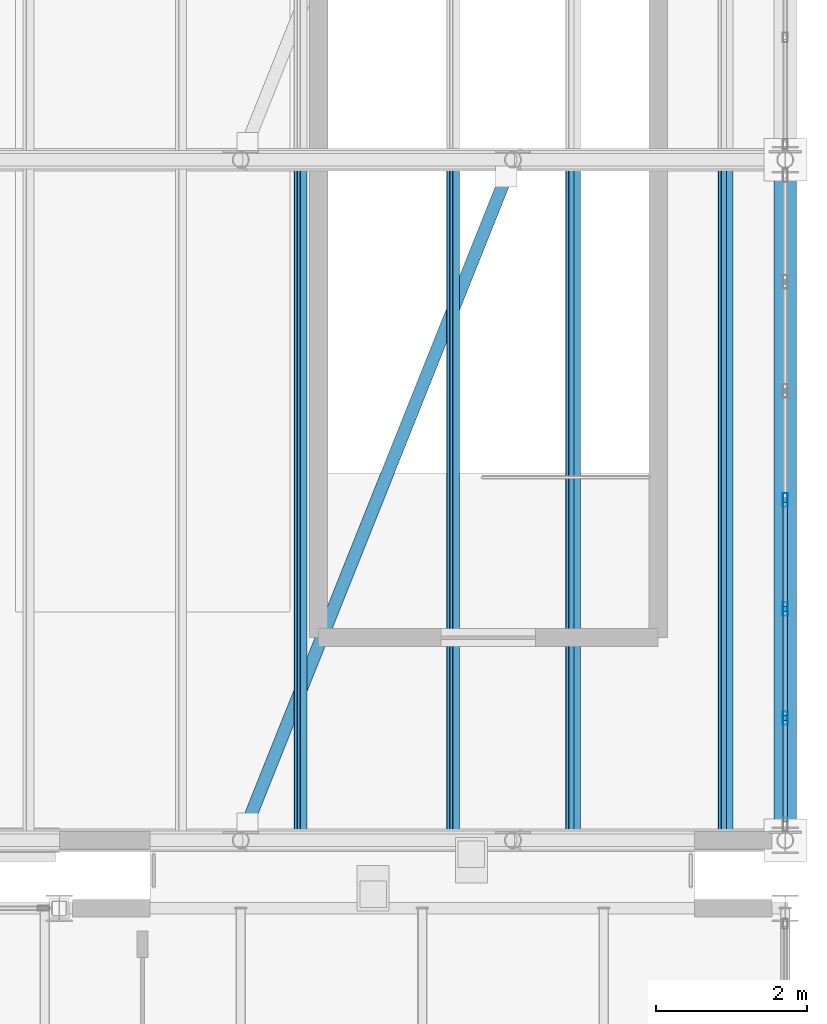
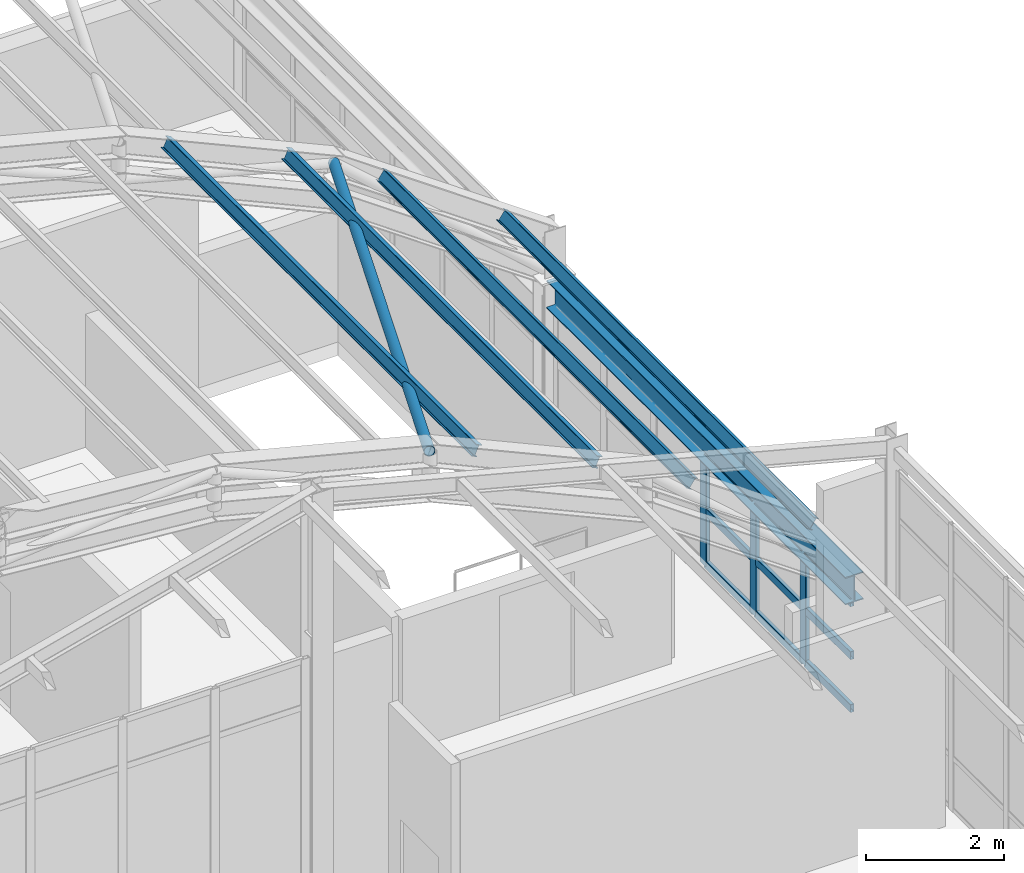
# One storey, part 25 of 121: 17 members, 1 beam, 1 element without a shape of its own.
"""IFC4 building model written with IfcOpenShell, lengths in metres."""

from ifc_helpers import new_model, si_unit, direction, frame, origin, origin_2d, place, context, subcontext, project, spatial, hollow_rectangle, hollow_circle, i_section, extrude, material, material_profile, profile_set, type_object, element, aggregate, save


model = new_model("IFC4")

# Units and contexts
model_context = context("Model", 3, precision=1e-05, world=origin(), true_north=direction((0.0, 1.0)))
body_context = subcontext(model_context, "Body", "Model", "MODEL_VIEW")
ifc_project = project(units=[si_unit("LENGTHUNIT", "METRE"), si_unit("AREAUNIT", "SQUARE_METRE"), si_unit("VOLUMEUNIT", "CUBIC_METRE"), si_unit("PLANEANGLEUNIT", "RADIAN"), si_unit("MASSUNIT", "GRAM", prefix="KILO")], contexts=[model_context])

# Site, building, storey
site_placement = place(None, origin())
site = spatial("IfcSite", under=ifc_project, at=site_placement, CompositionType="ELEMENT")
building_placement = place(site_placement, origin())
building = spatial("IfcBuilding", under=site, at=building_placement, Name="Canglan Escarpment Cableway Terminal", CompositionType="ELEMENT")
storey_placement = place(building_placement, frame((0.0, 0.0, 24.60009765625)))
storey = spatial("IfcBuildingStorey", under=building, at=storey_placement, Name="L05", CompositionType="ELEMENT", Elevation=24.60009765625)

# Beam
ifc_material_1 = material(Name="Steel Q355B", Category="steel")
ifc_material_profile_1 = material_profile(ifc_material_1, i_section(OverallWidth=0.300048828125, OverallDepth=0.488037109375, WebThickness=0.010986328125, FlangeThickness=0.01806640625, FilletRadius=0.02587890625, at=origin_2d()), Name="HM 488x300x11x18")
ifc_profile_set_1 = profile_set([ifc_material_profile_1], Name="Steel Q355B")
beam_type = type_object("IfcBeamType", Name="BM-HM488", PredefinedType="BEAM", material=ifc_profile_set_1)
beam_placement = place(storey_placement, frame((166.39990234375, 34.175048828125, 2.1884765625), z_axis=(0.0, 1.0, 0.0), x_axis=(-1.0, 0.0, 0.0)))
element("IfcBeam", 1, at=beam_placement, inside=storey, type_object=beam_type, Name="Vault springing ring girder B-09", PredefinedType="BEAM", context=body_context, shape_type="SweptSolid", body=[
    extrude(i_section(OverallWidth=0.300048828125, OverallDepth=0.488037109375, WebThickness=0.010986328125, FlangeThickness=0.01806640625, FilletRadius=0.02587890625, at=origin_2d()), origin(), (0.0, 0.0, 1.0), 8.64990234375),
])

# Curtain wall, members
ifc_material_2 = material(Name="Anodized bronze aluminium and Low-E double glazing", Category="aluminium")
curtain_wall_type = type_object("IfcCurtainWallType", Name="CW-BAY-8650x1925", PredefinedType="NOTDEFINED", material=ifc_material_2)
curtain_wall_placement = place(storey_placement, origin())
curtain_wall = element("IfcCurtainWall", 2, at=curtain_wall_placement, inside=storey, type_object=curtain_wall_type, Name="Classical bay-between-piers glazed curtain wall CW-65", PredefinedType="NOTDEFINED")
ifc_material_3 = material(Name="Thermally broken anodized aluminium 6063-T6", Category="aluminium")
ifc_material_profile_2 = material_profile(ifc_material_3, hollow_rectangle(XDim=0.06494140625, YDim=0.179931640625, WallThickness=0.00390625, InnerFilletRadius=0.00390625, OuterFilletRadius=0.008056640625, at=origin_2d()), Name="ALU-MULL 65x180x4")
ifc_profile_set_2 = profile_set([ifc_material_profile_2], Name="Thermally broken anodized aluminium 6063-T6")
member_type_1 = type_object("IfcMemberType", Name="CWM-03", PredefinedType="MULLION", material=ifc_profile_set_2)
member_1_placement = place(storey_placement, frame((166.39990234375, 35.61669921875, 0.0), z_axis=(0.0, 0.0, 1.0), x_axis=(-1.0, 0.0, 0.0)))
member_1 = element("IfcMember", 3, at=member_1_placement, type_object=member_type_1, Name="CW-65 mullion 2", PredefinedType="MULLION", context=body_context, shape_type="SweptSolid", body=[
    extrude(hollow_rectangle(XDim=0.06494140625, YDim=0.179931640625, WallThickness=0.00390625, InnerFilletRadius=0.00390625, OuterFilletRadius=0.008056640625, at=origin_2d()), origin(), (0.0, 0.0, 1.0), 1.932373046875),
])
member_2_placement = place(storey_placement, frame((166.39990234375, 37.058349609375, 0.0), z_axis=(0.0, 0.0, 1.0), x_axis=(-1.0, 0.0, 0.0)))
member_2 = element("IfcMember", 4, at=member_2_placement, type_object=member_type_1, Name="CW-65 mullion 3", PredefinedType="MULLION", context=body_context, shape_type="SweptSolid", body=[
    extrude(hollow_rectangle(XDim=0.06494140625, YDim=0.179931640625, WallThickness=0.00390625, InnerFilletRadius=0.00390625, OuterFilletRadius=0.008056640625, at=origin_2d()), origin(), (0.0, 0.0, 1.0), 1.932373046875),
])
member_3_placement = place(storey_placement, frame((166.39990234375, 38.5, 0.0), z_axis=(0.0, 0.0, 1.0), x_axis=(-1.0, 0.0, 0.0)))
member_3 = element("IfcMember", 5, at=member_3_placement, type_object=member_type_1, Name="CW-65 mullion 4", PredefinedType="MULLION", context=body_context, shape_type="SweptSolid", body=[
    extrude(hollow_rectangle(XDim=0.06494140625, YDim=0.179931640625, WallThickness=0.00390625, InnerFilletRadius=0.00390625, OuterFilletRadius=0.008056640625, at=origin_2d()), origin(), (0.0, 0.0, 1.0), 1.932373046875),
])
ifc_material_profile_3 = material_profile(ifc_material_3, hollow_rectangle(XDim=0.06494140625, YDim=0.139892578125, WallThickness=0.00341796875, InnerFilletRadius=0.00341796875, OuterFilletRadius=0.007080078125, at=origin_2d()), Name="ALU-TRAN 65x140x3.5")
ifc_profile_set_3 = profile_set([ifc_material_profile_3], Name="Thermally broken anodized aluminium 6063-T6")
member_type_2 = type_object("IfcMemberType", Name="CWT-03", PredefinedType="USERDEFINED", material=ifc_profile_set_3)
member_4_placement = place(storey_placement, frame((166.39990234375, 34.239990234375, 0.032470703125), z_axis=(0.0, 1.0, 0.0), x_axis=(-1.0, 0.0, 0.0)))
member_4 = element("IfcMember", 6, at=member_4_placement, type_object=member_type_2, Name="CW-65 transom 1.1", ObjectType="TRANSOM", PredefinedType="USERDEFINED", context=body_context, shape_type="SweptSolid", body=[
    extrude(hollow_rectangle(XDim=0.06494140625, YDim=0.139892578125, WallThickness=0.00341796875, InnerFilletRadius=0.00341796875, OuterFilletRadius=0.007080078125, at=origin_2d()), origin(), (0.0, 0.0, 1.0), 1.34423828125),
])
member_5_placement = place(storey_placement, frame((166.39990234375, 34.239990234375, 0.96630859375), z_axis=(0.0, 1.0, 0.0), x_axis=(-1.0, 0.0, 0.0)))
member_5 = element("IfcMember", 7, at=member_5_placement, type_object=member_type_2, Name="CW-65 transom 1.2", ObjectType="TRANSOM", PredefinedType="USERDEFINED", context=body_context, shape_type="SweptSolid", body=[
    extrude(hollow_rectangle(XDim=0.06494140625, YDim=0.139892578125, WallThickness=0.00341796875, InnerFilletRadius=0.00341796875, OuterFilletRadius=0.007080078125, at=origin_2d()), origin(), (0.0, 0.0, 1.0), 1.34423828125),
])
member_6_placement = place(storey_placement, frame((166.39990234375, 34.239990234375, 1.89990234375), z_axis=(0.0, 1.0, 0.0), x_axis=(-1.0, 0.0, 0.0)))
member_6 = element("IfcMember", 8, at=member_6_placement, type_object=member_type_2, Name="CW-65 transom 1.3", ObjectType="TRANSOM", PredefinedType="USERDEFINED", context=body_context, shape_type="SweptSolid", body=[
    extrude(hollow_rectangle(XDim=0.06494140625, YDim=0.139892578125, WallThickness=0.00341796875, InnerFilletRadius=0.00341796875, OuterFilletRadius=0.007080078125, at=origin_2d()), origin(), (0.0, 0.0, 1.0), 1.34423828125),
])
member_7_placement = place(storey_placement, frame((166.39990234375, 35.649169921875, 0.032470703125), z_axis=(0.0, 1.0, 0.0), x_axis=(-1.0, 0.0, 0.0)))
member_7 = element("IfcMember", 9, at=member_7_placement, type_object=member_type_2, Name="CW-65 transom 2.1", ObjectType="TRANSOM", PredefinedType="USERDEFINED", context=body_context, shape_type="SweptSolid", body=[
    extrude(hollow_rectangle(XDim=0.06494140625, YDim=0.139892578125, WallThickness=0.00341796875, InnerFilletRadius=0.00341796875, OuterFilletRadius=0.007080078125, at=origin_2d()), origin(), (0.0, 0.0, 1.0), 1.376708984375),
])
member_8_placement = place(storey_placement, frame((166.39990234375, 35.649169921875, 0.96630859375), z_axis=(0.0, 1.0, 0.0), x_axis=(-1.0, 0.0, 0.0)))
member_8 = element("IfcMember", 10, at=member_8_placement, type_object=member_type_2, Name="CW-65 transom 2.2", ObjectType="TRANSOM", PredefinedType="USERDEFINED", context=body_context, shape_type="SweptSolid", body=[
    extrude(hollow_rectangle(XDim=0.06494140625, YDim=0.139892578125, WallThickness=0.00341796875, InnerFilletRadius=0.00341796875, OuterFilletRadius=0.007080078125, at=origin_2d()), origin(), (0.0, 0.0, 1.0), 1.376708984375),
])
member_9_placement = place(storey_placement, frame((166.39990234375, 35.649169921875, 1.89990234375), z_axis=(0.0, 1.0, 0.0), x_axis=(-1.0, 0.0, 0.0)))
member_9 = element("IfcMember", 11, at=member_9_placement, type_object=member_type_2, Name="CW-65 transom 2.3", ObjectType="TRANSOM", PredefinedType="USERDEFINED", context=body_context, shape_type="SweptSolid", body=[
    extrude(hollow_rectangle(XDim=0.06494140625, YDim=0.139892578125, WallThickness=0.00341796875, InnerFilletRadius=0.00341796875, OuterFilletRadius=0.007080078125, at=origin_2d()), origin(), (0.0, 0.0, 1.0), 1.376708984375),
])
member_10_placement = place(storey_placement, frame((166.39990234375, 37.0908203125, 0.032470703125), z_axis=(0.0, 1.0, 0.0), x_axis=(-1.0, 0.0, 0.0)))
member_10 = element("IfcMember", 12, at=member_10_placement, type_object=member_type_2, Name="CW-65 transom 3.1", ObjectType="TRANSOM", PredefinedType="USERDEFINED", context=body_context, shape_type="SweptSolid", body=[
    extrude(hollow_rectangle(XDim=0.06494140625, YDim=0.139892578125, WallThickness=0.00341796875, InnerFilletRadius=0.00341796875, OuterFilletRadius=0.007080078125, at=origin_2d()), origin(), (0.0, 0.0, 1.0), 1.376708984375),
])
member_11_placement = place(storey_placement, frame((166.39990234375, 37.0908203125, 0.96630859375), z_axis=(0.0, 1.0, 0.0), x_axis=(-1.0, 0.0, 0.0)))
member_11 = element("IfcMember", 13, at=member_11_placement, type_object=member_type_2, Name="CW-65 transom 3.2", ObjectType="TRANSOM", PredefinedType="USERDEFINED", context=body_context, shape_type="SweptSolid", body=[
    extrude(hollow_rectangle(XDim=0.06494140625, YDim=0.139892578125, WallThickness=0.00341796875, InnerFilletRadius=0.00341796875, OuterFilletRadius=0.007080078125, at=origin_2d()), origin(), (0.0, 0.0, 1.0), 1.376708984375),
])
member_12_placement = place(storey_placement, frame((166.39990234375, 37.0908203125, 1.89990234375), z_axis=(0.0, 1.0, 0.0), x_axis=(-1.0, 0.0, 0.0)))
member_12 = element("IfcMember", 14, at=member_12_placement, type_object=member_type_2, Name="CW-65 transom 3.3", ObjectType="TRANSOM", PredefinedType="USERDEFINED", context=body_context, shape_type="SweptSolid", body=[
    extrude(hollow_rectangle(XDim=0.06494140625, YDim=0.139892578125, WallThickness=0.00341796875, InnerFilletRadius=0.00341796875, OuterFilletRadius=0.007080078125, at=origin_2d()), origin(), (0.0, 0.0, 1.0), 1.376708984375),
])
aggregate(curtain_wall, [member_1, member_2, member_3, member_4, member_5, member_6, member_7, member_8, member_9, member_10, member_11, member_12])

# Members
ifc_material_profile_4 = material_profile(ifc_material_1, hollow_circle(Radius=0.084228515625, WallThickness=0.006103515625, at=origin_2d()), Name="CHS 168.3x6")
ifc_profile_set_4 = profile_set([ifc_material_profile_4], Name="Steel Q355B")
member_type_3 = type_object("IfcMemberType", Name="MB-ROOF-BR-CHS168", PredefinedType="BRACE", material=ifc_profile_set_4)
member_13_placement = place(storey_placement, frame((159.199951171875, 34.0, 7.23828125), z_axis=(0.366307573698, 0.915744093096, -0.165019748547), x_axis=(-0.928473216852, 0.37139936132, 0.0)))
element("IfcMember", 15, at=member_13_placement, inside=storey, type_object=member_type_3, Name="Vault roof plane wind brace BR-03", PredefinedType="BRACE", context=body_context, shape_type="SweptSolid", body=[
    extrude(hollow_circle(Radius=0.084228515625, WallThickness=0.006103515625, at=origin_2d()), origin(), (0.0, 0.0, 1.0), 9.828125),
])
ifc_material_profile_5 = material_profile(ifc_material_1, i_section(OverallWidth=0.10009765625, OverallDepth=0.199951171875, WebThickness=0.005615234375, FlangeThickness=0.008056640625, FilletRadius=0.010986328125, at=origin_2d()), Name="HN 200x100x5.5x8")
ifc_profile_set_5 = profile_set([ifc_material_profile_5], Name="Steel Q355B")
member_type_4 = type_object("IfcMemberType", Name="MB-VAULT-PUR-HN200", PredefinedType="PURLIN", material=ifc_profile_set_5)
for number, where, z_axis, x_axis, name in (
    (16, (159.991943359375, 34.0, 6.968017578125), (0.0, 1.0, 0.0), (-0.911740537138, 0.0, 0.410766591799), "Barrel-vault roof purlin PR-01"),
    (17, (162.008056640625, 34.0, 6.059814453125), (0.0, 1.0, 0.0), (-0.911740537138, 0.0, 0.410766591799), "Barrel-vault roof purlin PR-01"),
    (18, (163.592041015625, 34.0, 5.1318359375), (0.0, 1.0, 0.0), (-0.817727996784, 0.0, 0.575604832568), "Barrel-vault roof purlin PR-01"),
    (19, (165.60791015625, 34.0, 3.712890625), (0.0, 1.0, 0.0), (-0.817727996784, 0.0, 0.575604832568), "Barrel-vault roof purlin PR-01"),
):
    element("IfcMember", number, at=place(storey_placement, frame(where, z_axis=z_axis, x_axis=x_axis)), inside=storey, type_object=member_type_4, Name=name, PredefinedType="PURLIN", context=body_context, shape_type="SweptSolid", body=[
        extrude(i_section(OverallWidth=0.10009765625, OverallDepth=0.199951171875, WebThickness=0.005615234375, FlangeThickness=0.008056640625, FilletRadius=0.010986328125, at=origin_2d()), origin(), (0.0, 0.0, 1.0), 9.0),
    ])

save(model, "model.ifc")
